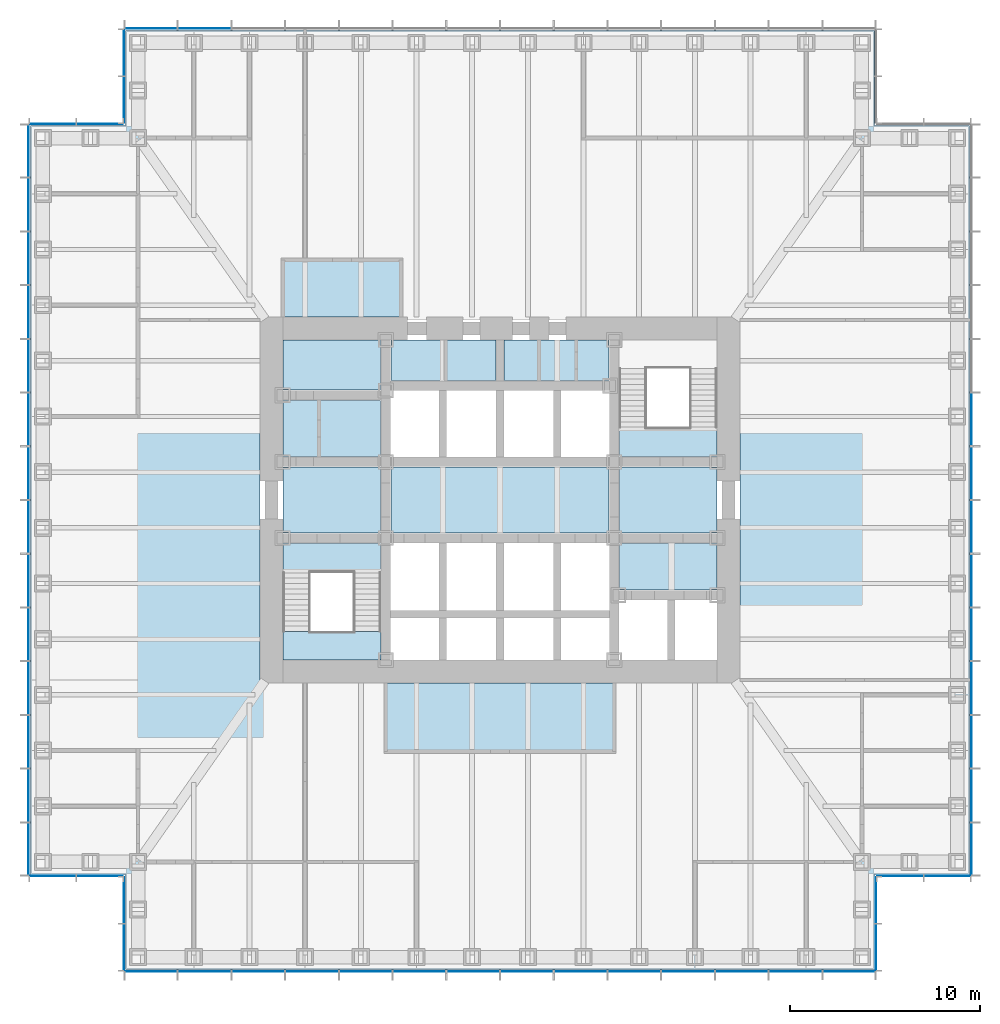
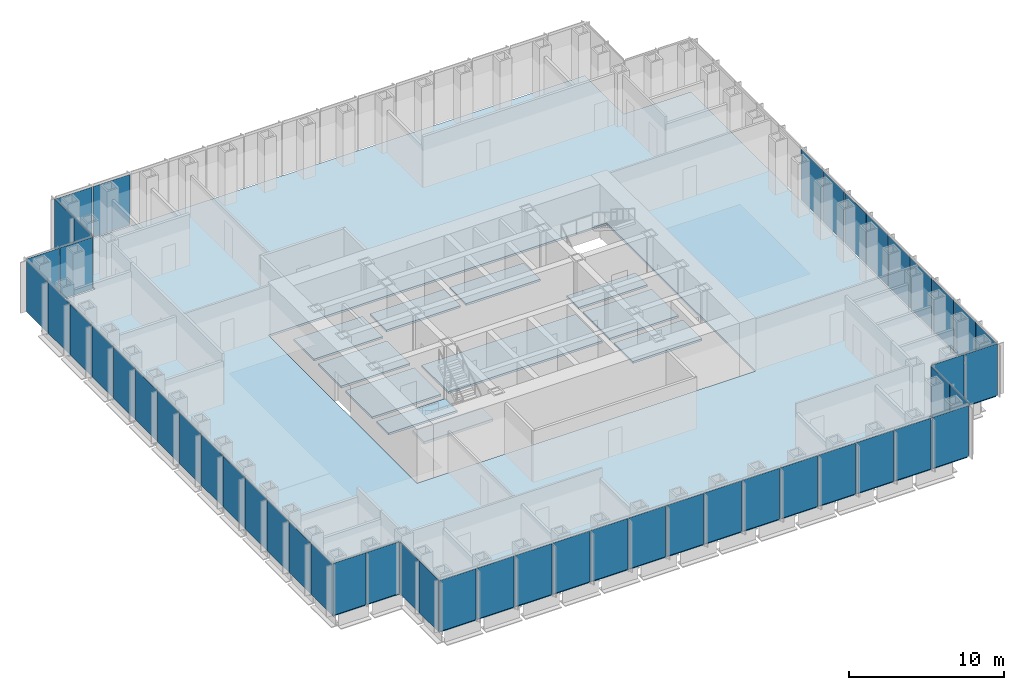
# One storey, part 7 of 17: 51 plates, 12 slabs, 11 elements without a shape of their own.
"""IFC4 building model written with IfcOpenShell, lengths in metres."""

import ifcopenshell
import ifcopenshell.guid

model = None  # the IFC model being written
_history = None  # IfcOwnerHistory: only IFC2X3 demands one
_inside = {}  # id of a spatial element -> (the spatial element, [elements in it])
_under = {}  # id of a project, library or spatial element -> (it, [spatial elements below it])
_declared = {}  # id of a project -> (the project, [libraries it declares])
_typed = {}  # id of a type object -> (the type object, [elements of that type])
_made_of = {}  # id of a material, layer set ... -> (it, [elements and type objects made of it])


def new_model(schema):
    """Start an empty IFC model of exactly this schema.

    Asked for "IFC4X3", IfcOpenShell would pick the latest addendum, in which some entities
    have other attributes; the version numbers below select the first issue.
    IFC2X3 requires an IfcOwnerHistory on every rooted entity: one is made here for all.
    """
    global model, _history
    if schema == "IFC4X3":
        model = ifcopenshell.file(schema_version=(4, 3, 0, 0))
    else:
        model = ifcopenshell.file(schema=schema)
    _inside.clear()
    _under.clear()
    _declared.clear()
    _typed.clear()
    _made_of.clear()
    _history = None
    if model.schema == "IFC2X3":
        org = make("IfcOrganization", Name="unknown")
        user = make(
            "IfcPersonAndOrganization",
            ThePerson=make("IfcPerson", FamilyName="unknown"),
            TheOrganization=org,
        )
        app = make(
            "IfcApplication",
            ApplicationDeveloper=org,
            Version="unknown",
            ApplicationFullName="unknown",
            ApplicationIdentifier="unknown",
        )
        _history = make(
            "IfcOwnerHistory",
            OwningUser=user,
            OwningApplication=app,
            ChangeAction="ADDED",
            CreationDate=0,
        )
    return model


def make(cls, **values):
    """One entity of the class cls with the attributes given. An attribute that is None is left unset."""
    return model.create_entity(
        cls, **{name: value for name, value in values.items() if value is not None}
    )


def rooted(cls, **values):
    """An entity with a GlobalId (a new one), such as an element, a storey or a relation."""
    return make(cls, GlobalId=ifcopenshell.guid.new(), OwnerHistory=_history, **values)


def si_unit(unit_type, name, prefix=None):
    """IfcSIUnit, for example si_unit("LENGTHUNIT", "METRE", prefix="MILLI")."""
    return make("IfcSIUnit", UnitType=unit_type, Prefix=prefix, Name=name)


def assignment(units):
    """IfcUnitAssignment: the units of a project."""
    return None if units is None else make("IfcUnitAssignment", Units=units)


def point(xyz):
    """IfcCartesianPoint."""
    return None if xyz is None else make("IfcCartesianPoint", Coordinates=xyz)


def direction(xyz):
    """IfcDirection."""
    return None if xyz is None else make("IfcDirection", DirectionRatios=xyz)


def frame(location, z_axis=None, x_axis=None):
    """IfcAxis2Placement3D, a coordinate frame: its origin and axes. An axis left out is left unset."""
    return make(
        "IfcAxis2Placement3D",
        Location=point(location),
        Axis=direction(z_axis),
        RefDirection=direction(x_axis),
    )


def frame_2d(location, x_axis=None):
    """IfcAxis2Placement2D, a coordinate frame in the plane: its origin and x axis."""
    return make(
        "IfcAxis2Placement2D", Location=point(location), RefDirection=direction(x_axis)
    )


def origin():
    """The frame at (0, 0, 0) with its axes left unset."""
    return frame((0.0, 0.0, 0.0))


def origin_2d():
    """The frame at (0, 0) in the plane with its x axis left unset."""
    return frame_2d((0.0, 0.0))


def place(relative_to, where):
    """IfcLocalPlacement: puts the frame where relative to a parent placement (None: the world)."""
    return make(
        "IfcLocalPlacement", PlacementRelTo=relative_to, RelativePlacement=where
    )


def context(
    kind, dimensions, precision=None, world=None, true_north=None, identifier=None
):
    """IfcGeometricRepresentationContext, for example the 3D "Model" context."""
    return make(
        "IfcGeometricRepresentationContext",
        ContextIdentifier=identifier,
        ContextType=kind,
        CoordinateSpaceDimension=dimensions,
        Precision=precision,
        WorldCoordinateSystem=world,
        TrueNorth=true_north,
    )


def subcontext(parent, identifier, kind, view, scale=None):
    """IfcGeometricRepresentationSubContext, for example "Body" below "Model"."""
    return make(
        "IfcGeometricRepresentationSubContext",
        ContextIdentifier=identifier,
        ContextType=kind,
        ParentContext=parent,
        TargetScale=scale,
        TargetView=view,
    )


def project(units=None, contexts=None):
    """IfcProject with its units and contexts."""
    return rooted(
        "IfcProject",
        Name="project",
        RepresentationContexts=contexts,
        UnitsInContext=assignment(units),
    )


def spatial(cls, under=None, at=None, **own):
    """A site, building, storey or space (cls), placed at a placement, below another one or the project."""
    s = rooted(cls, ObjectPlacement=at, **own)
    if under is not None:
        _under.setdefault(under.id(), (under, []))[1].append(s)
    return s


def polyline(points):
    """IfcPolyline through the points."""
    return make("IfcPolyline", Points=[point(p) for p in points])


def profile(cls, at=None, kind="AREA", **sizes):
    """A parametric profile (cls). Its sizes go by their IFC names, for example OverallWidth=200.0."""
    return make(cls, ProfileType=kind, Position=at, **sizes)


def rectangle(**sizes):
    """IfcRectangleProfileDef."""
    return profile("IfcRectangleProfileDef", **sizes)


def outline(outer, holes=None, kind="AREA"):
    """IfcArbitraryClosedProfileDef: a profile drawn as a closed curve; with holes, ...WithVoids."""
    if holes is None:
        return make("IfcArbitraryClosedProfileDef", ProfileType=kind, OuterCurve=outer)
    return make(
        "IfcArbitraryProfileDefWithVoids",
        ProfileType=kind,
        OuterCurve=outer,
        InnerCurves=holes,
    )


def extrude(swept, where, along, depth):
    """IfcExtrudedAreaSolid: the profile swept, set in the frame where, extruded along a direction by depth."""
    return make(
        "IfcExtrudedAreaSolid",
        SweptArea=swept,
        Position=where,
        ExtrudedDirection=direction(along),
        Depth=depth,
    )


def shape(context_of_items, identifier, shape_type, items):
    """IfcShapeRepresentation: the items that make up one representation, for example the "Body"."""
    return make(
        "IfcShapeRepresentation",
        ContextOfItems=context_of_items,
        RepresentationIdentifier=identifier,
        RepresentationType=shape_type,
        Items=items,
    )


def material(Name=None, Category=None):
    """IfcMaterial."""
    return make("IfcMaterial", Name=Name, Category=Category)


def layer(
    of_material, thickness, ventilated=None, Name=None, Category=None, Priority=None
):
    """IfcMaterialLayer: one layer of a wall or slab, of a material (None: an air gap)."""
    return make(
        "IfcMaterialLayer",
        Material=of_material,
        LayerThickness=thickness,
        IsVentilated=ventilated,
        Name=Name,
        Category=Category,
        Priority=Priority,
    )


def layer_set(layers, Name=None):
    """IfcMaterialLayerSet."""
    return make("IfcMaterialLayerSet", MaterialLayers=layers, LayerSetName=Name)


def made_of(thing, what):
    """Note that an element or type object is made of a material, layer set ...; save() writes the relation."""
    if what is not None:
        _made_of.setdefault(what.id(), (what, []))[1].append(thing)
    return thing


def type_object(cls, material=None, **own):
    """A type object (cls), such as IfcWallType, which elements share."""
    return made_of(rooted(cls, **own), material)


def element(
    cls,
    number,
    at=None,
    inside=None,
    cuts=None,
    type_object=None,
    material=None,
    context=None,
    identifier="Body",
    shape_type=None,
    held_by="IfcProductDefinitionShape",
    body=None,
    shapes=None,
    **own,
):
    """One element of the class cls, such as IfcWall. Its Tag is "e" and its number.

    at: its placement. inside: the storey or other place that contains it. cuts: it is an
    opening in that element (IfcRelVoidsElement). A single representation is given by context,
    identifier, shape_type and body (its items); several are given by shapes. held_by: the class
    of the entity that holds the representations. save() writes the other relations.
    """
    e = rooted(cls, Tag="e%d" % number, ObjectPlacement=at, **own)
    if body is not None:
        shapes = [shape(context, identifier, shape_type, body)]
    if shapes is not None:
        e.Representation = make(held_by, Representations=shapes)
    if inside is not None:
        _inside.setdefault(inside.id(), (inside, []))[1].append(e)
    if cuts is not None:
        rooted(
            "IfcRelVoidsElement", RelatingBuildingElement=cuts, RelatedOpeningElement=e
        )
    if type_object is not None:
        _typed.setdefault(type_object.id(), (type_object, []))[1].append(e)
    return made_of(e, material)


def aggregate(whole, parts):
    """IfcRelAggregates: a whole, such as a stair, and the parts it consists of."""
    return rooted("IfcRelAggregates", RelatingObject=whole, RelatedObjects=parts)


def save(model, path):
    """Write the relations noted so far, then the file.

    IfcRelAggregates (storeys below a building ...), IfcRelContainedInSpatialStructure (elements
    in a storey), IfcRelDefinesByType, IfcRelAssociatesMaterial and IfcRelDeclares: one each for
    every whole, place, type object, material and project.
    """
    for whole, parts in _under.values():
        aggregate(whole, parts)
    for where, things in _inside.values():
        rooted(
            "IfcRelContainedInSpatialStructure",
            RelatedElements=things,
            RelatingStructure=where,
        )
    for kind, things in _typed.values():
        rooted("IfcRelDefinesByType", RelatedObjects=things, RelatingType=kind)
    for what, things in _made_of.values():
        rooted("IfcRelAssociatesMaterial", RelatedObjects=things, RelatingMaterial=what)
    for by, libraries in _declared.values():
        rooted("IfcRelDeclares", RelatingContext=by, RelatedDefinitions=libraries)
    model.write(path)


model = new_model("IFC4")

# Units and contexts
model_context = context("Model", 3, precision=1e-05, world=origin(), true_north=direction((0.0, 1.0)))
body_context = subcontext(model_context, "Body", "Model", "MODEL_VIEW")
ifc_project = project(units=[si_unit("LENGTHUNIT", "METRE"), si_unit("AREAUNIT", "SQUARE_METRE"), si_unit("VOLUMEUNIT", "CUBIC_METRE"), si_unit("PLANEANGLEUNIT", "RADIAN"), si_unit("MASSUNIT", "GRAM", prefix="KILO")], contexts=[model_context])

# Site, building, storey
site_placement = place(None, origin())
site = spatial("IfcSite", under=ifc_project, at=site_placement, CompositionType="ELEMENT")
building_placement = place(site_placement, origin())
building = spatial("IfcBuilding", under=site, at=building_placement, Name="Daluyong Arena Tower", CompositionType="ELEMENT")
storey_placement = place(building_placement, frame((0.0, 0.0, 81.10009765625)))
storey = spatial("IfcBuildingStorey", under=building, at=storey_placement, Name="L17", CompositionType="ELEMENT", Elevation=81.10009765625)

# Curtain wall, plates
ifc_material_1 = material(Name="Bronze anodised aluminium and glass", Category="aluminium")
curtain_wall_type_1 = type_object("IfcCurtainWallType", Name="Curtain wall CW1", PredefinedType="USERDEFINED", material=ifc_material_1)
curtain_wall_1_placement = place(storey_placement, origin())
curtain_wall_1 = element("IfcCurtainWall", 1, at=curtain_wall_1_placement, inside=storey, type_object=curtain_wall_type_1, Name="curtain wall L17 S", ObjectType="UNITISED CURTAIN WALL", PredefinedType="USERDEFINED")
ifc_material_2 = material(Name="Tinted double glazed unit", Category="glass")
ifc_layer_1 = layer(ifc_material_2, 0.031982421875)
ifc_layer_set_1 = layer_set([ifc_layer_1], Name="Tinted double glazed unit")
plate_type_1 = type_object("IfcPlateType", Name="CW1 panel 32", PredefinedType="CURTAIN_PANEL", material=ifc_layer_set_1)
plate_1_placement = place(storey_placement, frame((37.6806640625, 55.25, 0.0), z_axis=(0.0, 0.0, 1.0), x_axis=(1.0, 0.0, 0.0)))
plate_1 = element("IfcPlate", 2, at=plate_1_placement, type_object=plate_type_1, Name="curtain wall L17 S panel 1", PredefinedType="CURTAIN_PANEL", context=body_context, shape_type="SweptSolid", body=[
    extrude(rectangle(XDim=2.701416015625, YDim=0.031982421875, at=origin_2d()), origin(), (0.0, 0.0, 1.0), 4.0),
])
plate_2_placement = place(storey_placement, frame((40.482177734375, 55.25, 0.0), z_axis=(0.0, 0.0, 1.0), x_axis=(1.0, 0.0, 0.0)))
plate_2 = element("IfcPlate", 3, at=plate_2_placement, type_object=plate_type_1, Name="curtain wall L17 S panel 2", PredefinedType="CURTAIN_PANEL", context=body_context, shape_type="SweptSolid", body=[
    extrude(rectangle(XDim=2.741455078125, YDim=0.031982421875, at=origin_2d()), origin(), (0.0, 0.0, 1.0), 4.0),
])
plate_3_placement = place(storey_placement, frame((43.303466796875, 55.25, 0.0), z_axis=(0.0, 0.0, 1.0), x_axis=(1.0, 0.0, 0.0)))
plate_3 = element("IfcPlate", 4, at=plate_3_placement, type_object=plate_type_1, Name="curtain wall L17 S panel 3", PredefinedType="CURTAIN_PANEL", context=body_context, shape_type="SweptSolid", body=[
    extrude(rectangle(XDim=2.741455078125, YDim=0.031982421875, at=origin_2d()), origin(), (0.0, 0.0, 1.0), 4.0),
])
plate_4_placement = place(storey_placement, frame((46.125, 55.25, 0.0), z_axis=(0.0, 0.0, 1.0), x_axis=(1.0, 0.0, 0.0)))
plate_4 = element("IfcPlate", 5, at=plate_4_placement, type_object=plate_type_1, Name="curtain wall L17 S panel 4", PredefinedType="CURTAIN_PANEL", context=body_context, shape_type="SweptSolid", body=[
    extrude(rectangle(XDim=2.741455078125, YDim=0.031982421875, at=origin_2d()), origin(), (0.0, 0.0, 1.0), 4.0),
])
plate_5_placement = place(storey_placement, frame((48.946533203125, 55.25, 0.0), z_axis=(0.0, 0.0, 1.0), x_axis=(1.0, 0.0, 0.0)))
plate_5 = element("IfcPlate", 6, at=plate_5_placement, type_object=plate_type_1, Name="curtain wall L17 S panel 5", PredefinedType="CURTAIN_PANEL", context=body_context, shape_type="SweptSolid", body=[
    extrude(rectangle(XDim=2.741455078125, YDim=0.031982421875, at=origin_2d()), origin(), (0.0, 0.0, 1.0), 4.0),
])
plate_6_placement = place(storey_placement, frame((51.767822265625, 55.25, 0.0), z_axis=(0.0, 0.0, 1.0), x_axis=(1.0, 0.0, 0.0)))
plate_6 = element("IfcPlate", 7, at=plate_6_placement, type_object=plate_type_1, Name="curtain wall L17 S panel 6", PredefinedType="CURTAIN_PANEL", context=body_context, shape_type="SweptSolid", body=[
    extrude(rectangle(XDim=2.741455078125, YDim=0.031982421875, at=origin_2d()), origin(), (0.0, 0.0, 1.0), 4.0),
])
plate_7_placement = place(storey_placement, frame((54.58935546875, 55.25, 0.0), z_axis=(0.0, 0.0, 1.0), x_axis=(1.0, 0.0, 0.0)))
plate_7 = element("IfcPlate", 8, at=plate_7_placement, type_object=plate_type_1, Name="curtain wall L17 S panel 7", PredefinedType="CURTAIN_PANEL", context=body_context, shape_type="SweptSolid", body=[
    extrude(rectangle(XDim=2.741455078125, YDim=0.031982421875, at=origin_2d()), origin(), (0.0, 0.0, 1.0), 4.0),
])
plate_8_placement = place(storey_placement, frame((57.41064453125, 55.25, 0.0), z_axis=(0.0, 0.0, 1.0), x_axis=(1.0, 0.0, 0.0)))
plate_8 = element("IfcPlate", 9, at=plate_8_placement, type_object=plate_type_1, Name="curtain wall L17 S panel 8", PredefinedType="CURTAIN_PANEL", context=body_context, shape_type="SweptSolid", body=[
    extrude(rectangle(XDim=2.741455078125, YDim=0.031982421875, at=origin_2d()), origin(), (0.0, 0.0, 1.0), 4.0),
])
plate_9_placement = place(storey_placement, frame((60.232177734375, 55.25, 0.0), z_axis=(0.0, 0.0, 1.0), x_axis=(1.0, 0.0, 0.0)))
plate_9 = element("IfcPlate", 10, at=plate_9_placement, type_object=plate_type_1, Name="curtain wall L17 S panel 9", PredefinedType="CURTAIN_PANEL", context=body_context, shape_type="SweptSolid", body=[
    extrude(rectangle(XDim=2.741455078125, YDim=0.031982421875, at=origin_2d()), origin(), (0.0, 0.0, 1.0), 4.0),
])
plate_10_placement = place(storey_placement, frame((63.053466796875, 55.25, 0.0), z_axis=(0.0, 0.0, 1.0), x_axis=(1.0, 0.0, 0.0)))
plate_10 = element("IfcPlate", 11, at=plate_10_placement, type_object=plate_type_1, Name="curtain wall L17 S panel 10", PredefinedType="CURTAIN_PANEL", context=body_context, shape_type="SweptSolid", body=[
    extrude(rectangle(XDim=2.741455078125, YDim=0.031982421875, at=origin_2d()), origin(), (0.0, 0.0, 1.0), 4.0),
])
plate_11_placement = place(storey_placement, frame((65.875, 55.25, 0.0), z_axis=(0.0, 0.0, 1.0), x_axis=(1.0, 0.0, 0.0)))
plate_11 = element("IfcPlate", 12, at=plate_11_placement, type_object=plate_type_1, Name="curtain wall L17 S panel 11", PredefinedType="CURTAIN_PANEL", context=body_context, shape_type="SweptSolid", body=[
    extrude(rectangle(XDim=2.741455078125, YDim=0.031982421875, at=origin_2d()), origin(), (0.0, 0.0, 1.0), 4.0),
])
plate_12_placement = place(storey_placement, frame((68.696533203125, 55.25, 0.0), z_axis=(0.0, 0.0, 1.0), x_axis=(1.0, 0.0, 0.0)))
plate_12 = element("IfcPlate", 13, at=plate_12_placement, type_object=plate_type_1, Name="curtain wall L17 S panel 12", PredefinedType="CURTAIN_PANEL", context=body_context, shape_type="SweptSolid", body=[
    extrude(rectangle(XDim=2.741455078125, YDim=0.031982421875, at=origin_2d()), origin(), (0.0, 0.0, 1.0), 4.0),
])
plate_13_placement = place(storey_placement, frame((71.517822265625, 55.25, 0.0), z_axis=(0.0, 0.0, 1.0), x_axis=(1.0, 0.0, 0.0)))
plate_13 = element("IfcPlate", 14, at=plate_13_placement, type_object=plate_type_1, Name="curtain wall L17 S panel 13", PredefinedType="CURTAIN_PANEL", context=body_context, shape_type="SweptSolid", body=[
    extrude(rectangle(XDim=2.741455078125, YDim=0.031982421875, at=origin_2d()), origin(), (0.0, 0.0, 1.0), 4.0),
])
plate_14_placement = place(storey_placement, frame((74.3193359375, 55.25, 0.0), z_axis=(0.0, 0.0, 1.0), x_axis=(1.0, 0.0, 0.0)))
plate_14 = element("IfcPlate", 15, at=plate_14_placement, type_object=plate_type_1, Name="curtain wall L17 S panel 14", PredefinedType="CURTAIN_PANEL", context=body_context, shape_type="SweptSolid", body=[
    extrude(rectangle(XDim=2.701416015625, YDim=0.031982421875, at=origin_2d()), origin(), (0.0, 0.0, 1.0), 4.0),
])
aggregate(curtain_wall_1, [plate_1, plate_2, plate_3, plate_4, plate_5, plate_6, plate_7, plate_8, plate_9, plate_10, plate_11, plate_12, plate_13, plate_14])

curtain_wall_2_placement = place(storey_placement, origin())
curtain_wall_2 = element("IfcCurtainWall", 16, at=curtain_wall_2_placement, inside=storey, type_object=curtain_wall_type_1, Name="curtain wall L17 E", ObjectType="UNITISED CURTAIN WALL", PredefinedType="USERDEFINED")
plate_15_placement = place(storey_placement, frame((80.75, 61.6806640625, 0.0), z_axis=(0.0, 0.0, 1.0), x_axis=(0.0, 1.0, 0.0)))
plate_15 = element("IfcPlate", 17, at=plate_15_placement, type_object=plate_type_1, Name="curtain wall L17 E panel 1", PredefinedType="CURTAIN_PANEL", context=body_context, shape_type="SweptSolid", body=[
    extrude(rectangle(XDim=2.701416015625, YDim=0.031982421875, at=origin_2d()), origin(), (0.0, 0.0, 1.0), 4.0),
])
plate_16_placement = place(storey_placement, frame((80.75, 64.482177734375, 0.0), z_axis=(0.0, 0.0, 1.0), x_axis=(0.0, 1.0, 0.0)))
plate_16 = element("IfcPlate", 18, at=plate_16_placement, type_object=plate_type_1, Name="curtain wall L17 E panel 2", PredefinedType="CURTAIN_PANEL", context=body_context, shape_type="SweptSolid", body=[
    extrude(rectangle(XDim=2.741455078125, YDim=0.031982421875, at=origin_2d()), origin(), (0.0, 0.0, 1.0), 4.0),
])
plate_17_placement = place(storey_placement, frame((80.75, 67.303466796875, 0.0), z_axis=(0.0, 0.0, 1.0), x_axis=(0.0, 1.0, 0.0)))
plate_17 = element("IfcPlate", 19, at=plate_17_placement, type_object=plate_type_1, Name="curtain wall L17 E panel 3", PredefinedType="CURTAIN_PANEL", context=body_context, shape_type="SweptSolid", body=[
    extrude(rectangle(XDim=2.741455078125, YDim=0.031982421875, at=origin_2d()), origin(), (0.0, 0.0, 1.0), 4.0),
])
plate_18_placement = place(storey_placement, frame((80.75, 70.125, 0.0), z_axis=(0.0, 0.0, 1.0), x_axis=(0.0, 1.0, 0.0)))
plate_18 = element("IfcPlate", 20, at=plate_18_placement, type_object=plate_type_1, Name="curtain wall L17 E panel 4", PredefinedType="CURTAIN_PANEL", context=body_context, shape_type="SweptSolid", body=[
    extrude(rectangle(XDim=2.741455078125, YDim=0.031982421875, at=origin_2d()), origin(), (0.0, 0.0, 1.0), 4.0),
])
plate_19_placement = place(storey_placement, frame((80.75, 72.946533203125, 0.0), z_axis=(0.0, 0.0, 1.0), x_axis=(0.0, 1.0, 0.0)))
plate_19 = element("IfcPlate", 21, at=plate_19_placement, type_object=plate_type_1, Name="curtain wall L17 E panel 5", PredefinedType="CURTAIN_PANEL", context=body_context, shape_type="SweptSolid", body=[
    extrude(rectangle(XDim=2.741455078125, YDim=0.031982421875, at=origin_2d()), origin(), (0.0, 0.0, 1.0), 4.0),
])
plate_20_placement = place(storey_placement, frame((80.75, 75.767822265625, 0.0), z_axis=(0.0, 0.0, 1.0), x_axis=(0.0, 1.0, 0.0)))
plate_20 = element("IfcPlate", 22, at=plate_20_placement, type_object=plate_type_1, Name="curtain wall L17 E panel 6", PredefinedType="CURTAIN_PANEL", context=body_context, shape_type="SweptSolid", body=[
    extrude(rectangle(XDim=2.741455078125, YDim=0.031982421875, at=origin_2d()), origin(), (0.0, 0.0, 1.0), 4.0),
])
plate_21_placement = place(storey_placement, frame((80.75, 78.58935546875, 0.0), z_axis=(0.0, 0.0, 1.0), x_axis=(0.0, 1.0, 0.0)))
plate_21 = element("IfcPlate", 23, at=plate_21_placement, type_object=plate_type_1, Name="curtain wall L17 E panel 7", PredefinedType="CURTAIN_PANEL", context=body_context, shape_type="SweptSolid", body=[
    extrude(rectangle(XDim=2.741455078125, YDim=0.031982421875, at=origin_2d()), origin(), (0.0, 0.0, 1.0), 4.0),
])
plate_22_placement = place(storey_placement, frame((80.75, 81.41064453125, 0.0), z_axis=(0.0, 0.0, 1.0), x_axis=(0.0, 1.0, 0.0)))
plate_22 = element("IfcPlate", 24, at=plate_22_placement, type_object=plate_type_1, Name="curtain wall L17 E panel 8", PredefinedType="CURTAIN_PANEL", context=body_context, shape_type="SweptSolid", body=[
    extrude(rectangle(XDim=2.741455078125, YDim=0.031982421875, at=origin_2d()), origin(), (0.0, 0.0, 1.0), 4.0),
])
plate_23_placement = place(storey_placement, frame((80.75, 84.232177734375, 0.0), z_axis=(0.0, 0.0, 1.0), x_axis=(0.0, 1.0, 0.0)))
plate_23 = element("IfcPlate", 25, at=plate_23_placement, type_object=plate_type_1, Name="curtain wall L17 E panel 9", PredefinedType="CURTAIN_PANEL", context=body_context, shape_type="SweptSolid", body=[
    extrude(rectangle(XDim=2.741455078125, YDim=0.031982421875, at=origin_2d()), origin(), (0.0, 0.0, 1.0), 4.0),
])
aggregate(curtain_wall_2, [plate_15, plate_16, plate_17, plate_18, plate_19, plate_20, plate_21, plate_22, plate_23])

curtain_wall_3_placement = place(storey_placement, origin())
curtain_wall_3 = element("IfcCurtainWall", 26, at=curtain_wall_3_placement, inside=storey, type_object=curtain_wall_type_1, Name="curtain wall L17 N", ObjectType="UNITISED CURTAIN WALL", PredefinedType="USERDEFINED")
plate_24_placement = place(storey_placement, frame((40.482177734375, 104.75, 0.0), z_axis=(0.0, 0.0, 1.0), x_axis=(-1.0, 0.0, 0.0)))
plate_24 = element("IfcPlate", 27, at=plate_24_placement, type_object=plate_type_1, Name="curtain wall L17 N panel 13", PredefinedType="CURTAIN_PANEL", context=body_context, shape_type="SweptSolid", body=[
    extrude(rectangle(XDim=2.741455078125, YDim=0.031982421875, at=origin_2d()), origin(), (0.0, 0.0, 1.0), 4.0),
])
plate_25_placement = place(storey_placement, frame((37.6806640625, 104.75, 0.0), z_axis=(0.0, 0.0, 1.0), x_axis=(-1.0, 0.0, 0.0)))
plate_25 = element("IfcPlate", 28, at=plate_25_placement, type_object=plate_type_1, Name="curtain wall L17 N panel 14", PredefinedType="CURTAIN_PANEL", context=body_context, shape_type="SweptSolid", body=[
    extrude(rectangle(XDim=2.701416015625, YDim=0.031982421875, at=origin_2d()), origin(), (0.0, 0.0, 1.0), 4.0),
])
aggregate(curtain_wall_3, [plate_24, plate_25])

curtain_wall_4_placement = place(storey_placement, origin())
curtain_wall_4 = element("IfcCurtainWall", 29, at=curtain_wall_4_placement, inside=storey, type_object=curtain_wall_type_1, Name="curtain wall L17 W", ObjectType="UNITISED CURTAIN WALL", PredefinedType="USERDEFINED")
plate_26_placement = place(storey_placement, frame((31.25, 98.3193359375, 0.0), z_axis=(0.0, 0.0, 1.0), x_axis=(0.0, -1.0, 0.0)))
plate_26 = element("IfcPlate", 30, at=plate_26_placement, type_object=plate_type_1, Name="curtain wall L17 W panel 1", PredefinedType="CURTAIN_PANEL", context=body_context, shape_type="SweptSolid", body=[
    extrude(rectangle(XDim=2.701416015625, YDim=0.031982421875, at=origin_2d()), origin(), (0.0, 0.0, 1.0), 4.0),
])
plate_27_placement = place(storey_placement, frame((31.25, 95.517822265625, 0.0), z_axis=(0.0, 0.0, 1.0), x_axis=(0.0, -1.0, 0.0)))
plate_27 = element("IfcPlate", 31, at=plate_27_placement, type_object=plate_type_1, Name="curtain wall L17 W panel 2", PredefinedType="CURTAIN_PANEL", context=body_context, shape_type="SweptSolid", body=[
    extrude(rectangle(XDim=2.741455078125, YDim=0.031982421875, at=origin_2d()), origin(), (0.0, 0.0, 1.0), 4.0),
])
plate_28_placement = place(storey_placement, frame((31.25, 92.696533203125, 0.0), z_axis=(0.0, 0.0, 1.0), x_axis=(0.0, -1.0, 0.0)))
plate_28 = element("IfcPlate", 32, at=plate_28_placement, type_object=plate_type_1, Name="curtain wall L17 W panel 3", PredefinedType="CURTAIN_PANEL", context=body_context, shape_type="SweptSolid", body=[
    extrude(rectangle(XDim=2.741455078125, YDim=0.031982421875, at=origin_2d()), origin(), (0.0, 0.0, 1.0), 4.0),
])
plate_29_placement = place(storey_placement, frame((31.25, 89.875, 0.0), z_axis=(0.0, 0.0, 1.0), x_axis=(0.0, -1.0, 0.0)))
plate_29 = element("IfcPlate", 33, at=plate_29_placement, type_object=plate_type_1, Name="curtain wall L17 W panel 4", PredefinedType="CURTAIN_PANEL", context=body_context, shape_type="SweptSolid", body=[
    extrude(rectangle(XDim=2.741455078125, YDim=0.031982421875, at=origin_2d()), origin(), (0.0, 0.0, 1.0), 4.0),
])
plate_30_placement = place(storey_placement, frame((31.25, 87.053466796875, 0.0), z_axis=(0.0, 0.0, 1.0), x_axis=(0.0, -1.0, 0.0)))
plate_30 = element("IfcPlate", 34, at=plate_30_placement, type_object=plate_type_1, Name="curtain wall L17 W panel 5", PredefinedType="CURTAIN_PANEL", context=body_context, shape_type="SweptSolid", body=[
    extrude(rectangle(XDim=2.741455078125, YDim=0.031982421875, at=origin_2d()), origin(), (0.0, 0.0, 1.0), 4.0),
])
plate_31_placement = place(storey_placement, frame((31.25, 84.232177734375, 0.0), z_axis=(0.0, 0.0, 1.0), x_axis=(0.0, -1.0, 0.0)))
plate_31 = element("IfcPlate", 35, at=plate_31_placement, type_object=plate_type_1, Name="curtain wall L17 W panel 6", PredefinedType="CURTAIN_PANEL", context=body_context, shape_type="SweptSolid", body=[
    extrude(rectangle(XDim=2.741455078125, YDim=0.031982421875, at=origin_2d()), origin(), (0.0, 0.0, 1.0), 4.0),
])
plate_32_placement = place(storey_placement, frame((31.25, 81.41064453125, 0.0), z_axis=(0.0, 0.0, 1.0), x_axis=(0.0, -1.0, 0.0)))
plate_32 = element("IfcPlate", 36, at=plate_32_placement, type_object=plate_type_1, Name="curtain wall L17 W panel 7", PredefinedType="CURTAIN_PANEL", context=body_context, shape_type="SweptSolid", body=[
    extrude(rectangle(XDim=2.741455078125, YDim=0.031982421875, at=origin_2d()), origin(), (0.0, 0.0, 1.0), 4.0),
])
plate_33_placement = place(storey_placement, frame((31.25, 78.58935546875, 0.0), z_axis=(0.0, 0.0, 1.0), x_axis=(0.0, -1.0, 0.0)))
plate_33 = element("IfcPlate", 37, at=plate_33_placement, type_object=plate_type_1, Name="curtain wall L17 W panel 8", PredefinedType="CURTAIN_PANEL", context=body_context, shape_type="SweptSolid", body=[
    extrude(rectangle(XDim=2.741455078125, YDim=0.031982421875, at=origin_2d()), origin(), (0.0, 0.0, 1.0), 4.0),
])
plate_34_placement = place(storey_placement, frame((31.25, 75.767822265625, 0.0), z_axis=(0.0, 0.0, 1.0), x_axis=(0.0, -1.0, 0.0)))
plate_34 = element("IfcPlate", 38, at=plate_34_placement, type_object=plate_type_1, Name="curtain wall L17 W panel 9", PredefinedType="CURTAIN_PANEL", context=body_context, shape_type="SweptSolid", body=[
    extrude(rectangle(XDim=2.741455078125, YDim=0.031982421875, at=origin_2d()), origin(), (0.0, 0.0, 1.0), 4.0),
])
plate_35_placement = place(storey_placement, frame((31.25, 72.946533203125, 0.0), z_axis=(0.0, 0.0, 1.0), x_axis=(0.0, -1.0, 0.0)))
plate_35 = element("IfcPlate", 39, at=plate_35_placement, type_object=plate_type_1, Name="curtain wall L17 W panel 10", PredefinedType="CURTAIN_PANEL", context=body_context, shape_type="SweptSolid", body=[
    extrude(rectangle(XDim=2.741455078125, YDim=0.031982421875, at=origin_2d()), origin(), (0.0, 0.0, 1.0), 4.0),
])
plate_36_placement = place(storey_placement, frame((31.25, 70.125, 0.0), z_axis=(0.0, 0.0, 1.0), x_axis=(0.0, -1.0, 0.0)))
plate_36 = element("IfcPlate", 40, at=plate_36_placement, type_object=plate_type_1, Name="curtain wall L17 W panel 11", PredefinedType="CURTAIN_PANEL", context=body_context, shape_type="SweptSolid", body=[
    extrude(rectangle(XDim=2.741455078125, YDim=0.031982421875, at=origin_2d()), origin(), (0.0, 0.0, 1.0), 4.0),
])
plate_37_placement = place(storey_placement, frame((31.25, 67.303466796875, 0.0), z_axis=(0.0, 0.0, 1.0), x_axis=(0.0, -1.0, 0.0)))
plate_37 = element("IfcPlate", 41, at=plate_37_placement, type_object=plate_type_1, Name="curtain wall L17 W panel 12", PredefinedType="CURTAIN_PANEL", context=body_context, shape_type="SweptSolid", body=[
    extrude(rectangle(XDim=2.741455078125, YDim=0.031982421875, at=origin_2d()), origin(), (0.0, 0.0, 1.0), 4.0),
])
plate_38_placement = place(storey_placement, frame((31.25, 64.482177734375, 0.0), z_axis=(0.0, 0.0, 1.0), x_axis=(0.0, -1.0, 0.0)))
plate_38 = element("IfcPlate", 42, at=plate_38_placement, type_object=plate_type_1, Name="curtain wall L17 W panel 13", PredefinedType="CURTAIN_PANEL", context=body_context, shape_type="SweptSolid", body=[
    extrude(rectangle(XDim=2.741455078125, YDim=0.031982421875, at=origin_2d()), origin(), (0.0, 0.0, 1.0), 4.0),
])
plate_39_placement = place(storey_placement, frame((31.25, 61.6806640625, 0.0), z_axis=(0.0, 0.0, 1.0), x_axis=(0.0, -1.0, 0.0)))
plate_39 = element("IfcPlate", 43, at=plate_39_placement, type_object=plate_type_1, Name="curtain wall L17 W panel 14", PredefinedType="CURTAIN_PANEL", context=body_context, shape_type="SweptSolid", body=[
    extrude(rectangle(XDim=2.701416015625, YDim=0.031982421875, at=origin_2d()), origin(), (0.0, 0.0, 1.0), 4.0),
])
aggregate(curtain_wall_4, [plate_26, plate_27, plate_28, plate_29, plate_30, plate_31, plate_32, plate_33, plate_34, plate_35, plate_36, plate_37, plate_38, plate_39])

ifc_material_3 = material(Name="Bronze anodised aluminium and glass", Category="aluminium")
curtain_wall_type_2 = type_object("IfcCurtainWallType", Name="Curtain wall CW7", PredefinedType="USERDEFINED", material=ifc_material_3)
curtain_wall_5_placement = place(storey_placement, origin())
curtain_wall_5 = element("IfcCurtainWall", 44, at=curtain_wall_5_placement, inside=storey, type_object=curtain_wall_type_2, Name="curtain wall L17 SE-E", ObjectType="UNITISED CURTAIN WALL", PredefinedType="USERDEFINED")
ifc_material_4 = material(Name="Tinted double glazed unit", Category="glass")
ifc_layer_2 = layer(ifc_material_4, 0.028076171875)
ifc_layer_set_2 = layer_set([ifc_layer_2], Name="Tinted double glazed unit")
plate_type_2 = type_object("IfcPlateType", Name="CW7 panel 28", PredefinedType="CURTAIN_PANEL", material=ifc_layer_set_2)
plate_40_placement = place(storey_placement, frame((75.75, 56.514892578125, -0.000244140625), z_axis=(0.0, 0.0, 1.0), x_axis=(0.0, 1.0, 0.0)))
plate_40 = element("IfcPlate", 45, at=plate_40_placement, type_object=plate_type_2, Name="curtain wall L17 SE-E panel 1", PredefinedType="CURTAIN_PANEL", context=body_context, shape_type="SweptSolid", body=[
    extrude(rectangle(XDim=2.409912109375, YDim=0.028076171875, at=origin_2d()), origin(), (0.0, 0.0, 1.0), 4.080078125),
])
plate_41_placement = place(storey_placement, frame((75.75, 58.985107421875, -0.000244140625), z_axis=(0.0, 0.0, 1.0), x_axis=(0.0, 1.0, 0.0)))
plate_41 = element("IfcPlate", 46, at=plate_41_placement, type_object=plate_type_2, Name="curtain wall L17 SE-E panel 2", PredefinedType="CURTAIN_PANEL", context=body_context, shape_type="SweptSolid", body=[
    extrude(rectangle(XDim=2.409912109375, YDim=0.028076171875, at=origin_2d()), origin(), (0.0, 0.0, 1.0), 4.080078125),
])
aggregate(curtain_wall_5, [plate_40, plate_41])

curtain_wall_6_placement = place(storey_placement, origin())
curtain_wall_6 = element("IfcCurtainWall", 47, at=curtain_wall_6_placement, inside=storey, type_object=curtain_wall_type_2, Name="curtain wall L17 SE-S", ObjectType="UNITISED CURTAIN WALL", PredefinedType="USERDEFINED")
plate_42_placement = place(storey_placement, frame((77.014892578125, 60.25, -0.000244140625), z_axis=(0.0, 0.0, 1.0), x_axis=(1.0, 0.0, 0.0)))
plate_42 = element("IfcPlate", 48, at=plate_42_placement, type_object=plate_type_2, Name="curtain wall L17 SE-S panel 1", PredefinedType="CURTAIN_PANEL", context=body_context, shape_type="SweptSolid", body=[
    extrude(rectangle(XDim=2.409912109375, YDim=0.028076171875, at=origin_2d()), origin(), (0.0, 0.0, 1.0), 4.080078125),
])
plate_43_placement = place(storey_placement, frame((79.485107421875, 60.25, -0.000244140625), z_axis=(0.0, 0.0, 1.0), x_axis=(1.0, 0.0, 0.0)))
plate_43 = element("IfcPlate", 49, at=plate_43_placement, type_object=plate_type_2, Name="curtain wall L17 SE-S panel 2", PredefinedType="CURTAIN_PANEL", context=body_context, shape_type="SweptSolid", body=[
    extrude(rectangle(XDim=2.409912109375, YDim=0.028076171875, at=origin_2d()), origin(), (0.0, 0.0, 1.0), 4.080078125),
])
aggregate(curtain_wall_6, [plate_42, plate_43])

curtain_wall_7_placement = place(storey_placement, origin())
curtain_wall_7 = element("IfcCurtainWall", 50, at=curtain_wall_7_placement, inside=storey, type_object=curtain_wall_type_2, Name="curtain wall L17 NW-W", ObjectType="UNITISED CURTAIN WALL", PredefinedType="USERDEFINED")
plate_44_placement = place(storey_placement, frame((36.25, 103.485107421875, -0.000244140625), z_axis=(0.0, 0.0, 1.0), x_axis=(0.0, -1.0, 0.0)))
plate_44 = element("IfcPlate", 51, at=plate_44_placement, type_object=plate_type_2, Name="curtain wall L17 NW-W panel 1", PredefinedType="CURTAIN_PANEL", context=body_context, shape_type="SweptSolid", body=[
    extrude(rectangle(XDim=2.409912109375, YDim=0.028076171875, at=origin_2d()), origin(), (0.0, 0.0, 1.0), 4.080078125),
])
plate_45_placement = place(storey_placement, frame((36.25, 101.014892578125, -0.000244140625), z_axis=(0.0, 0.0, 1.0), x_axis=(0.0, -1.0, 0.0)))
plate_45 = element("IfcPlate", 52, at=plate_45_placement, type_object=plate_type_2, Name="curtain wall L17 NW-W panel 2", PredefinedType="CURTAIN_PANEL", context=body_context, shape_type="SweptSolid", body=[
    extrude(rectangle(XDim=2.409912109375, YDim=0.028076171875, at=origin_2d()), origin(), (0.0, 0.0, 1.0), 4.080078125),
])
aggregate(curtain_wall_7, [plate_44, plate_45])

curtain_wall_8_placement = place(storey_placement, origin())
curtain_wall_8 = element("IfcCurtainWall", 53, at=curtain_wall_8_placement, inside=storey, type_object=curtain_wall_type_2, Name="curtain wall L17 NW-N", ObjectType="UNITISED CURTAIN WALL", PredefinedType="USERDEFINED")
plate_46_placement = place(storey_placement, frame((34.985107421875, 99.75, -0.000244140625), z_axis=(0.0, 0.0, 1.0), x_axis=(-1.0, 0.0, 0.0)))
plate_46 = element("IfcPlate", 54, at=plate_46_placement, type_object=plate_type_2, Name="curtain wall L17 NW-N panel 1", PredefinedType="CURTAIN_PANEL", context=body_context, shape_type="SweptSolid", body=[
    extrude(rectangle(XDim=2.409912109375, YDim=0.028076171875, at=origin_2d()), origin(), (0.0, 0.0, 1.0), 4.080078125),
])
plate_47_placement = place(storey_placement, frame((32.514892578125, 99.75, -0.000244140625), z_axis=(0.0, 0.0, 1.0), x_axis=(-1.0, 0.0, 0.0)))
plate_47 = element("IfcPlate", 55, at=plate_47_placement, type_object=plate_type_2, Name="curtain wall L17 NW-N panel 2", PredefinedType="CURTAIN_PANEL", context=body_context, shape_type="SweptSolid", body=[
    extrude(rectangle(XDim=2.409912109375, YDim=0.028076171875, at=origin_2d()), origin(), (0.0, 0.0, 1.0), 4.080078125),
])
aggregate(curtain_wall_8, [plate_46, plate_47])

curtain_wall_9_placement = place(storey_placement, origin())
curtain_wall_9 = element("IfcCurtainWall", 56, at=curtain_wall_9_placement, inside=storey, type_object=curtain_wall_type_2, Name="curtain wall L17 SW-S", ObjectType="UNITISED CURTAIN WALL", PredefinedType="USERDEFINED")
plate_48_placement = place(storey_placement, frame((32.514892578125, 60.25, -0.000244140625), z_axis=(0.0, 0.0, 1.0), x_axis=(1.0, 0.0, 0.0)))
plate_48 = element("IfcPlate", 57, at=plate_48_placement, type_object=plate_type_2, Name="curtain wall L17 SW-S panel 1", PredefinedType="CURTAIN_PANEL", context=body_context, shape_type="SweptSolid", body=[
    extrude(rectangle(XDim=2.409912109375, YDim=0.028076171875, at=origin_2d()), origin(), (0.0, 0.0, 1.0), 4.080078125),
])
plate_49_placement = place(storey_placement, frame((34.985107421875, 60.25, -0.000244140625), z_axis=(0.0, 0.0, 1.0), x_axis=(1.0, 0.0, 0.0)))
plate_49 = element("IfcPlate", 58, at=plate_49_placement, type_object=plate_type_2, Name="curtain wall L17 SW-S panel 2", PredefinedType="CURTAIN_PANEL", context=body_context, shape_type="SweptSolid", body=[
    extrude(rectangle(XDim=2.409912109375, YDim=0.028076171875, at=origin_2d()), origin(), (0.0, 0.0, 1.0), 4.080078125),
])
aggregate(curtain_wall_9, [plate_48, plate_49])

curtain_wall_10_placement = place(storey_placement, origin())
curtain_wall_10 = element("IfcCurtainWall", 59, at=curtain_wall_10_placement, inside=storey, type_object=curtain_wall_type_2, Name="curtain wall L17 SW-W", ObjectType="UNITISED CURTAIN WALL", PredefinedType="USERDEFINED")
plate_50_placement = place(storey_placement, frame((36.25, 58.985107421875, -0.000244140625), z_axis=(0.0, 0.0, 1.0), x_axis=(0.0, -1.0, 0.0)))
plate_50 = element("IfcPlate", 60, at=plate_50_placement, type_object=plate_type_2, Name="curtain wall L17 SW-W panel 1", PredefinedType="CURTAIN_PANEL", context=body_context, shape_type="SweptSolid", body=[
    extrude(rectangle(XDim=2.409912109375, YDim=0.028076171875, at=origin_2d()), origin(), (0.0, 0.0, 1.0), 4.080078125),
])
plate_51_placement = place(storey_placement, frame((36.25, 56.514892578125, -0.000244140625), z_axis=(0.0, 0.0, 1.0), x_axis=(0.0, -1.0, 0.0)))
plate_51 = element("IfcPlate", 61, at=plate_51_placement, type_object=plate_type_2, Name="curtain wall L17 SW-W panel 2", PredefinedType="CURTAIN_PANEL", context=body_context, shape_type="SweptSolid", body=[
    extrude(rectangle(XDim=2.409912109375, YDim=0.028076171875, at=origin_2d()), origin(), (0.0, 0.0, 1.0), 4.080078125),
])
aggregate(curtain_wall_10, [plate_50, plate_51])

# Stair, slab
ifc_material_5 = material(Name="Concrete fc' 35 MPa", Category="concrete")
stair_type = type_object("IfcStairType", Name="Core exit stair", PredefinedType="HALF_TURN_STAIR", material=ifc_material_5)
stair_placement = place(storey_placement, origin())
stair = element("IfcStair", 62, at=stair_placement, inside=storey, type_object=stair_type, Name="exit stair A L17", PredefinedType="HALF_TURN_STAIR")
ifc_material_6 = material(Name="Concrete fc' 35 MPa", Category="concrete")
ifc_layer_3 = layer(ifc_material_6, 0.199951171875)
ifc_layer_set_3 = layer_set([ifc_layer_3], Name="Concrete fc' 35 MPa")
slab_type_1 = type_object("IfcSlabType", Name="Stair landing 200", PredefinedType="LANDING", material=ifc_layer_set_3)
slab_1_placement = place(storey_placement, frame((0.0, 0.0, 1.89990234375)))
slab_1 = element("IfcSlab", 63, at=slab_1_placement, type_object=slab_type_1, Name="STA landing 1", PredefinedType="LANDING", context=body_context, shape_type="SweptSolid", body=[
    extrude(outline(polyline([(44.60009765625, 71.60009765625), (49.75, 71.60009765625), (49.75, 73.094970703125), (44.60009765625, 73.094970703125), (44.60009765625, 71.60009765625)])), origin(), (0.0, 0.0, 1.0), 0.199951171875),
])
aggregate(stair, [slab_1])

# Slabs
ifc_material_7 = material(Name="Concrete fc' 35 MPa", Category="concrete")
ifc_layer_4 = layer(ifc_material_7, 0.159912109375)
ifc_layer_set_4 = layer_set([ifc_layer_4], Name="Concrete fc' 35 MPa")
slab_type_2 = type_object("IfcSlabType", Name="Tower floor slab 160", PredefinedType="FLOOR", material=ifc_layer_set_4)
slab_2_placement = place(storey_placement, frame((0.0, 0.0, -0.16015625)))
element("IfcSlab", 64, at=slab_2_placement, inside=storey, type_object=slab_type_2, Name="floor L17 part 1", PredefinedType="FLOOR", context=body_context, shape_type="SweptSolid", body=[
    extrude(outline(polyline([(49.72509765625, 76.175048828125), (49.72509765625, 77.72509765625), (44.60009765625, 77.72509765625), (44.60009765625, 76.175048828125), (49.72509765625, 76.175048828125)])), origin(), (0.0, 0.0, 1.0), 0.16015625),
])
slab_3_placement = place(storey_placement, frame((0.0, 0.0, -0.16015625)))
element("IfcSlab", 65, at=slab_3_placement, inside=storey, type_object=slab_type_2, Name="floor L17 part 2", PredefinedType="FLOOR", context=body_context, shape_type="SweptSolid", body=[
    extrude(outline(polyline([(49.72509765625, 78.27490234375), (49.72509765625, 81.72509765625), (44.60009765625, 81.72509765625), (44.60009765625, 78.27490234375), (49.72509765625, 78.27490234375)])), origin(), (0.0, 0.0, 1.0), 0.16015625),
])
slab_4_placement = place(storey_placement, frame((0.0, 0.0, -0.16015625)))
element("IfcSlab", 66, at=slab_4_placement, inside=storey, type_object=slab_type_2, Name="floor L17 part 3", PredefinedType="FLOOR", context=body_context, shape_type="SweptSolid", body=[
    extrude(outline(polyline([(49.72509765625, 82.27490234375), (49.72509765625, 85.22509765625), (44.60009765625, 85.22509765625), (44.60009765625, 82.27490234375), (49.72509765625, 82.27490234375)])), origin(), (0.0, 0.0, 1.0), 0.16015625),
])
slab_5_placement = place(storey_placement, frame((0.0, 0.0, -0.16015625)))
element("IfcSlab", 67, at=slab_5_placement, inside=storey, type_object=slab_type_2, Name="floor L17 part 4", PredefinedType="FLOOR", context=body_context, shape_type="SweptSolid", body=[
    extrude(outline(polyline([(44.60009765625, 88.39990234375), (44.60009765625, 85.77490234375), (49.72509765625, 85.77490234375), (49.72509765625, 88.39990234375), (44.60009765625, 88.39990234375)])), origin(), (0.0, 0.0, 1.0), 0.16015625),
])
slab_6_placement = place(storey_placement, frame((0.0, 0.0, -0.16015625)))
element("IfcSlab", 68, at=slab_6_placement, inside=storey, type_object=slab_type_2, Name="floor L17 part 5", PredefinedType="FLOOR", context=body_context, shape_type="SweptSolid", body=[
    extrude(outline(polyline([(50.27490234375, 88.39990234375), (50.27490234375, 86.27490234375), (55.800048828125, 86.27490234375), (55.800048828125, 88.39990234375), (50.27490234375, 88.39990234375)])), origin(), (0.0, 0.0, 1.0), 0.16015625),
])
slab_7_placement = place(storey_placement, frame((0.0, 0.0, -0.16015625)))
element("IfcSlab", 69, at=slab_7_placement, inside=storey, type_object=slab_type_2, Name="floor L17 part 6", PredefinedType="FLOOR", context=body_context, shape_type="SweptSolid", body=[
    extrude(outline(polyline([(36.35009765625, 60.35009765625), (36.35009765625, 55.35009765625), (75.64990234375, 55.35009765625), (75.64990234375, 60.35009765625), (80.64990234375, 60.35009765625), (80.64990234375, 99.64990234375), (75.64990234375, 99.64990234375), (75.64990234375, 104.64990234375), (36.35009765625, 104.64990234375), (36.35009765625, 99.64990234375), (31.35009765625, 99.64990234375), (31.35009765625, 60.35009765625), (36.35009765625, 60.35009765625)]), holes=[polyline([(68.60009765625, 89.60009765625), (68.60009765625, 70.39990234375), (43.39990234375, 70.39990234375), (43.39990234375, 89.60009765625), (68.60009765625, 89.60009765625)])]), origin(), (0.0, 0.0, 1.0), 0.16015625),
])
slab_8_placement = place(storey_placement, frame((0.0, 0.0, -0.16015625)))
element("IfcSlab", 70, at=slab_8_placement, inside=storey, type_object=slab_type_2, Name="floor L17 part 7", PredefinedType="FLOOR", context=body_context, shape_type="SweptSolid", body=[
    extrude(outline(polyline([(61.72509765625, 81.72509765625), (50.27490234375, 81.72509765625), (50.27490234375, 78.27490234375), (61.72509765625, 78.27490234375), (61.72509765625, 81.72509765625)])), origin(), (0.0, 0.0, 1.0), 0.16015625),
])
slab_9_placement = place(storey_placement, frame((0.0, 0.0, -0.16015625)))
element("IfcSlab", 71, at=slab_9_placement, inside=storey, type_object=slab_type_2, Name="floor L17 part 8", PredefinedType="FLOOR", context=body_context, shape_type="SweptSolid", body=[
    extrude(outline(polyline([(56.199951171875, 86.27490234375), (61.72509765625, 86.27490234375), (61.72509765625, 88.39990234375), (56.199951171875, 88.39990234375), (56.199951171875, 86.27490234375)])), origin(), (0.0, 0.0, 1.0), 0.16015625),
])
slab_10_placement = place(storey_placement, frame((0.0, 0.0, -0.16015625)))
element("IfcSlab", 72, at=slab_10_placement, inside=storey, type_object=slab_type_2, Name="floor L17 part 9", PredefinedType="FLOOR", context=body_context, shape_type="SweptSolid", body=[
    extrude(outline(polyline([(67.39990234375, 75.27490234375), (67.39990234375, 77.72509765625), (62.27490234375, 77.72509765625), (62.27490234375, 75.27490234375), (67.39990234375, 75.27490234375)])), origin(), (0.0, 0.0, 1.0), 0.16015625),
])
slab_11_placement = place(storey_placement, frame((0.0, 0.0, -0.16015625)))
element("IfcSlab", 73, at=slab_11_placement, inside=storey, type_object=slab_type_2, Name="floor L17 part 10", PredefinedType="FLOOR", context=body_context, shape_type="SweptSolid", body=[
    extrude(outline(polyline([(67.39990234375, 78.27490234375), (67.39990234375, 81.72509765625), (62.27490234375, 81.72509765625), (62.27490234375, 78.27490234375), (67.39990234375, 78.27490234375)])), origin(), (0.0, 0.0, 1.0), 0.16015625),
])
slab_12_placement = place(storey_placement, frame((0.0, 0.0, -0.16015625)))
element("IfcSlab", 74, at=slab_12_placement, inside=storey, type_object=slab_type_2, Name="floor L17 part 11", PredefinedType="FLOOR", context=body_context, shape_type="SweptSolid", body=[
    extrude(outline(polyline([(67.39990234375, 82.27490234375), (67.39990234375, 83.824951171875), (62.27490234375, 83.824951171875), (62.27490234375, 82.27490234375), (67.39990234375, 82.27490234375)])), origin(), (0.0, 0.0, 1.0), 0.16015625),
])

save(model, "model.ifc")
